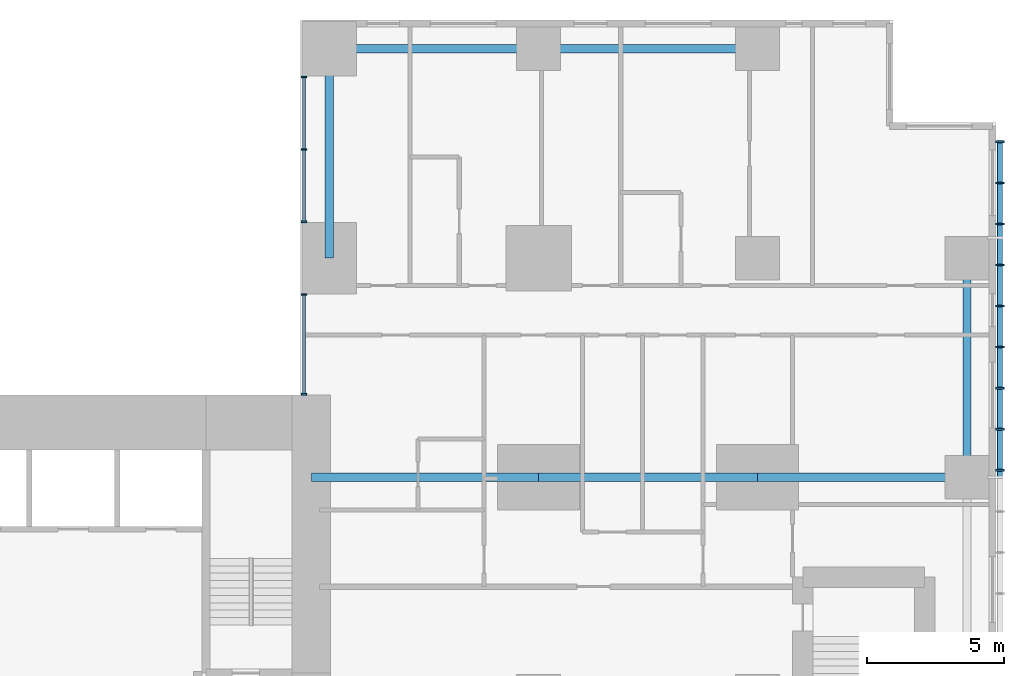
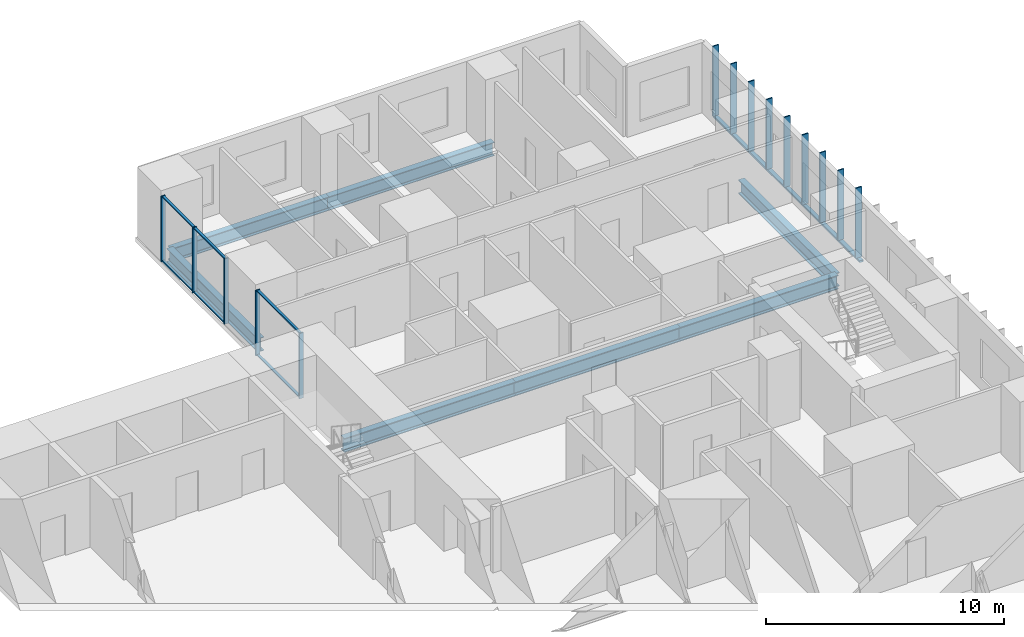
# One storey, part 3 of 12: 21 members, 7 beams, 2 elements without a shape of their own.
"""IFC4 building model written with IfcOpenShell, lengths in metres."""

from ifc_helpers import new_model, si_unit, direction, frame, origin, origin_2d, place, context, subcontext, project, spatial, rectangle, hollow_rectangle, i_section, extrude, material, layer, layer_set, material_profile, profile_set, type_object, element, aggregate, save


model = new_model("IFC4")

# Units and contexts
model_context = context("Model", 3, precision=1e-05, world=origin(), true_north=direction((0.0, 1.0)))
body_context = subcontext(model_context, "Body", "Model", "MODEL_VIEW")
ifc_project = project(units=[si_unit("LENGTHUNIT", "METRE"), si_unit("AREAUNIT", "SQUARE_METRE"), si_unit("VOLUMEUNIT", "CUBIC_METRE"), si_unit("PLANEANGLEUNIT", "RADIAN"), si_unit("MASSUNIT", "GRAM", prefix="KILO")], contexts=[model_context])

# Site, building, storey
site_placement = place(None, origin())
site = spatial("IfcSite", under=ifc_project, at=site_placement, CompositionType="ELEMENT")
building_placement = place(site_placement, origin())
building = spatial("IfcBuilding", under=site, at=building_placement, Name="Cleftline Residences", CompositionType="ELEMENT")
storey_placement = place(building_placement, frame((0.0, 0.0, 248.39990234375)))
storey = spatial("IfcBuildingStorey", under=building, at=storey_placement, Name="L65", CompositionType="ELEMENT", Elevation=248.39990234375)

# Member
ifc_material_1 = material(Name="Steel S355, hot-dip galvanised", Category="steel")
ifc_material_profile_1 = material_profile(ifc_material_1, hollow_rectangle(XDim=0.10009765625, YDim=0.199951171875, WallThickness=0.008056640625, InnerFilletRadius=0.008056640625, OuterFilletRadius=0.011962890625, at=origin_2d()))
ifc_profile_set_1 = profile_set([ifc_material_profile_1], Name="Steel S355, hot-dip galvanised")
member_type_1 = type_object("IfcMemberType", Name="BAGUETTE CARRIER RHS 200X100X8", PredefinedType="USERDEFINED", material=ifc_profile_set_1)
member_1_placement = place(storey_placement, frame((66.85009765625, 32.0, -0.0498046875), z_axis=(0.0, 1.0, 0.0), x_axis=(0.0, 0.0, 1.0)))
element("IfcMember", 1, at=member_1_placement, inside=storey, type_object=member_type_1, Name="Baguette carrier", ObjectType="BAGUETTE CARRIER", PredefinedType="USERDEFINED", context=body_context, shape_type="SweptSolid", body=[
    extrude(hollow_rectangle(XDim=0.10009765625, YDim=0.199951171875, WallThickness=0.008056640625, InnerFilletRadius=0.008056640625, OuterFilletRadius=0.011962890625, at=origin_2d()), origin(), (0.0, 0.0, 1.0), 12.300048828125),
])

# Beams
ifc_material_2 = material(Name="Steel S355", Category="steel")
ifc_material_profile_2 = material_profile(ifc_material_2, i_section(OverallWidth=0.300048828125, OverallDepth=0.699951171875, WebThickness=0.01708984375, FlangeThickness=0.031982421875, FilletRadius=0.027099609375, at=origin_2d()))
ifc_profile_set_2 = profile_set([ifc_material_profile_2], Name="Steel S355")
beam_type_1 = type_object("IfcBeamType", Name="BEAM HEB 700", PredefinedType="BEAM", material=ifc_profile_set_2)
for number, where, z_axis, x_axis, name in (
    (2, (65.64990234375, 32.0, -0.599853515625), (0.0, 1.0, 0.0), (-1.0, 0.0, 0.0), "Edge beam"),
    (3, (58.0, 47.64990234375, -0.599853515625), (-1.0, 0.0, 0.0), (0.0, -1.0, 0.0), "Edge beam"),
):
    element("IfcBeam", number, at=place(storey_placement, frame(where, z_axis=z_axis, x_axis=x_axis)), inside=storey, type_object=beam_type_1, Name=name, PredefinedType="BEAM", context=body_context, shape_type="SweptSolid", body=[
        extrude(i_section(OverallWidth=0.300048828125, OverallDepth=0.699951171875, WebThickness=0.01708984375, FlangeThickness=0.031982421875, FilletRadius=0.027099609375, at=origin_2d()), origin(), (0.0, 0.0, 1.0), 8.0),
    ])
for number, where, z_axis, x_axis, name in (
    (4, (50.0, 47.64990234375, -0.599853515625), (-1.0, 0.0, 0.0), (0.0, -1.0, 0.0), "Edge beam"),
    (5, (42.35009765625, 47.64990234375, -0.599853515625), (0.0, -1.0, 0.0), (1.0, 0.0, 0.0), "Edge beam"),
):
    element("IfcBeam", number, at=place(storey_placement, frame(where, z_axis=z_axis, x_axis=x_axis)), inside=storey, type_object=beam_type_1, Name=name, PredefinedType="BEAM", context=body_context, shape_type="SweptSolid", body=[
        extrude(i_section(OverallWidth=0.300048828125, OverallDepth=0.699951171875, WebThickness=0.01708984375, FlangeThickness=0.031982421875, FilletRadius=0.027099609375, at=origin_2d()), origin(), (0.0, 0.0, 1.0), 7.64990234375),
    ])
ifc_material_3 = material(Name="Steel S355", Category="steel")
ifc_material_profile_3 = material_profile(ifc_material_3, i_section(OverallWidth=0.303955078125, OverallDepth=0.716064453125, WebThickness=0.02099609375, FlangeThickness=0.0400390625, FilletRadius=0.027099609375, at=origin_2d()))
ifc_profile_set_3 = profile_set([ifc_material_profile_3], Name="Steel S355")
beam_type_2 = type_object("IfcBeamType", Name="BEAM HEM 700", PredefinedType="BEAM", material=ifc_profile_set_3)
beam_1_placement = place(storey_placement, frame((65.64990234375, 32.0, -0.60791015625), z_axis=(-1.0, 0.0, 0.0), x_axis=(0.0, -1.0, 0.0)))
element("IfcBeam", 6, at=beam_1_placement, inside=storey, type_object=beam_type_2, Name="Band beam", PredefinedType="BEAM", context=body_context, shape_type="SweptSolid", body=[
    extrude(i_section(OverallWidth=0.303955078125, OverallDepth=0.716064453125, WebThickness=0.02099609375, FlangeThickness=0.0400390625, FilletRadius=0.027099609375, at=origin_2d()), origin(), (0.0, 0.0, 1.0), 7.64990234375),
])
beam_2_placement = place(storey_placement, frame((58.0, 32.0, -0.60791015625), z_axis=(-1.0, 0.0, 0.0), x_axis=(0.0, -1.0, 0.0)))
element("IfcBeam", 7, at=beam_2_placement, inside=storey, type_object=beam_type_2, Name="Band beam", PredefinedType="BEAM", context=body_context, shape_type="SweptSolid", body=[
    extrude(i_section(OverallWidth=0.303955078125, OverallDepth=0.716064453125, WebThickness=0.02099609375, FlangeThickness=0.0400390625, FilletRadius=0.027099609375, at=origin_2d()), origin(), (0.0, 0.0, 1.0), 8.0),
])
beam_3_placement = place(storey_placement, frame((50.0, 32.0, -0.60791015625), z_axis=(-1.0, 0.0, 0.0), x_axis=(0.0, -1.0, 0.0)))
element("IfcBeam", 8, at=beam_3_placement, inside=storey, type_object=beam_type_2, Name="Band beam", PredefinedType="BEAM", context=body_context, shape_type="SweptSolid", body=[
    extrude(i_section(OverallWidth=0.303955078125, OverallDepth=0.716064453125, WebThickness=0.02099609375, FlangeThickness=0.0400390625, FilletRadius=0.027099609375, at=origin_2d()), origin(), (0.0, 0.0, 1.0), 8.300048828125),
])

# Curtain wall, members
ifc_material_4 = material(Name="Aluminium framed curtain wall", Category="aluminium")
ifc_layer = layer(ifc_material_4, 0.199951171875)
ifc_layer_set = layer_set([ifc_layer], Name="CW1 CLEFT GLAZING")
curtain_wall_type = type_object("IfcCurtainWallType", Name="CW1 CLEFT GLAZING", PredefinedType="NOTDEFINED", material=ifc_layer_set)
curtain_wall_1_placement = place(storey_placement, origin())
curtain_wall_1 = element("IfcCurtainWall", 9, at=curtain_wall_1_placement, inside=storey, type_object=curtain_wall_type, Name="Curtain wall CW1", PredefinedType="NOTDEFINED")
ifc_material_5 = material(Name="Aluminium mullion", Category="aluminium")
ifc_material_profile_4 = material_profile(ifc_material_5, rectangle(XDim=0.199951171875, YDim=0.06005859375, at=origin_2d()))
ifc_profile_set_4 = profile_set([ifc_material_profile_4], Name="Aluminium mullion")
member_type_2 = type_object("IfcMemberType", Name="CW1 MULLION", PredefinedType="MULLION", material=ifc_profile_set_4)
member_2_placement = place(storey_placement, frame((41.425048828125, 46.6201171875, 0.0), z_axis=(0.0, 0.0, 1.0), x_axis=(1.0, 0.0, 0.0)))
member_2 = element("IfcMember", 10, at=member_2_placement, type_object=member_type_2, Name="CW1 mullion 1", PredefinedType="MULLION", context=body_context, shape_type="SweptSolid", body=[
    extrude(rectangle(XDim=0.199951171875, YDim=0.06005859375, at=origin_2d()), origin(), (0.0, 0.0, 1.0), 3.35009765625),
])
member_3_placement = place(storey_placement, frame((41.425048828125, 43.97509765625, 0.0), z_axis=(0.0, 0.0, 1.0), x_axis=(1.0, 0.0, 0.0)))
member_3 = element("IfcMember", 11, at=member_3_placement, type_object=member_type_2, Name="CW1 mullion 2", PredefinedType="MULLION", context=body_context, shape_type="SweptSolid", body=[
    extrude(rectangle(XDim=0.199951171875, YDim=0.06005859375, at=origin_2d()), origin(), (0.0, 0.0, 1.0), 3.35009765625),
])
member_4_placement = place(storey_placement, frame((41.425048828125, 41.330078125, 0.0), z_axis=(0.0, 0.0, 1.0), x_axis=(1.0, 0.0, 0.0)))
member_4 = element("IfcMember", 12, at=member_4_placement, type_object=member_type_2, Name="CW1 mullion 3", PredefinedType="MULLION", context=body_context, shape_type="SweptSolid", body=[
    extrude(rectangle(XDim=0.199951171875, YDim=0.06005859375, at=origin_2d()), origin(), (0.0, 0.0, 1.0), 3.35009765625),
])

curtain_wall_2_placement = place(storey_placement, origin())
curtain_wall_2 = element("IfcCurtainWall", 13, at=curtain_wall_2_placement, inside=storey, type_object=curtain_wall_type, Name="Curtain wall CW1", PredefinedType="NOTDEFINED")
member_5_placement = place(storey_placement, frame((41.425048828125, 38.669921875, 0.0), z_axis=(0.0, 0.0, 1.0), x_axis=(1.0, 0.0, 0.0)))
member_5 = element("IfcMember", 14, at=member_5_placement, type_object=member_type_2, Name="CW1 mullion 1", PredefinedType="MULLION", context=body_context, shape_type="SweptSolid", body=[
    extrude(rectangle(XDim=0.199951171875, YDim=0.06005859375, at=origin_2d()), origin(), (0.0, 0.0, 1.0), 3.35009765625),
])
member_6_placement = place(storey_placement, frame((41.425048828125, 35.030029296875, 0.0), z_axis=(0.0, 0.0, 1.0), x_axis=(1.0, 0.0, 0.0)))
member_6 = element("IfcMember", 15, at=member_6_placement, type_object=member_type_2, Name="CW1 mullion 2", PredefinedType="MULLION", context=body_context, shape_type="SweptSolid", body=[
    extrude(rectangle(XDim=0.199951171875, YDim=0.06005859375, at=origin_2d()), origin(), (0.0, 0.0, 1.0), 3.35009765625),
])

# Member
ifc_material_6 = material(Name="Aluminium transom", Category="aluminium")
ifc_material_profile_5 = material_profile(ifc_material_6, rectangle(XDim=0.1201171875, YDim=0.06005859375, at=origin_2d()))
ifc_profile_set_5 = profile_set([ifc_material_profile_5], Name="Aluminium transom")
member_type_3 = type_object("IfcMemberType", Name="CW1 TRANSOM", PredefinedType="USERDEFINED", material=ifc_profile_set_5)
member_7_placement = place(storey_placement, frame((41.425048828125, 46.590087890625, 0.030029296875), z_axis=(0.0, -1.0, 0.0), x_axis=(1.0, 0.0, 0.0)))
member_7 = element("IfcMember", 16, at=member_7_placement, type_object=member_type_3, Name="CW1 transom 1.1", ObjectType="TRANSOM", PredefinedType="USERDEFINED", context=body_context, shape_type="SweptSolid", body=[
    extrude(rectangle(XDim=0.1201171875, YDim=0.06005859375, at=origin_2d()), origin(), (0.0, 0.0, 1.0), 2.585205078125),
])

member_8_placement = place(storey_placement, frame((41.425048828125, 46.590087890625, 3.320068359375), z_axis=(0.0, -1.0, 0.0), x_axis=(1.0, 0.0, 0.0)))
member_8 = element("IfcMember", 17, at=member_8_placement, type_object=member_type_3, Name="CW1 transom 1.2", ObjectType="TRANSOM", PredefinedType="USERDEFINED", context=body_context, shape_type="SweptSolid", body=[
    extrude(rectangle(XDim=0.1201171875, YDim=0.06005859375, at=origin_2d()), origin(), (0.0, 0.0, 1.0), 2.585205078125),
])

member_9_placement = place(storey_placement, frame((41.425048828125, 43.945068359375, 0.030029296875), z_axis=(0.0, -1.0, 0.0), x_axis=(1.0, 0.0, 0.0)))
member_9 = element("IfcMember", 18, at=member_9_placement, type_object=member_type_3, Name="CW1 transom 2.1", ObjectType="TRANSOM", PredefinedType="USERDEFINED", context=body_context, shape_type="SweptSolid", body=[
    extrude(rectangle(XDim=0.1201171875, YDim=0.06005859375, at=origin_2d()), origin(), (0.0, 0.0, 1.0), 2.5849609375),
])

member_10_placement = place(storey_placement, frame((41.425048828125, 43.945068359375, 3.320068359375), z_axis=(0.0, -1.0, 0.0), x_axis=(1.0, 0.0, 0.0)))
member_10 = element("IfcMember", 19, at=member_10_placement, type_object=member_type_3, Name="CW1 transom 2.2", ObjectType="TRANSOM", PredefinedType="USERDEFINED", context=body_context, shape_type="SweptSolid", body=[
    extrude(rectangle(XDim=0.1201171875, YDim=0.06005859375, at=origin_2d()), origin(), (0.0, 0.0, 1.0), 2.5849609375),
])

aggregate(curtain_wall_1, [member_2, member_3, member_4, member_7, member_8, member_9, member_10])

member_11_placement = place(storey_placement, frame((41.425048828125, 38.639892578125, 0.030029296875), z_axis=(0.0, -1.0, 0.0), x_axis=(1.0, 0.0, 0.0)))
member_11 = element("IfcMember", 20, at=member_11_placement, type_object=member_type_3, Name="CW1 transom 1.1", ObjectType="TRANSOM", PredefinedType="USERDEFINED", context=body_context, shape_type="SweptSolid", body=[
    extrude(rectangle(XDim=0.1201171875, YDim=0.06005859375, at=origin_2d()), origin(), (0.0, 0.0, 1.0), 3.579833984375),
])

member_12_placement = place(storey_placement, frame((41.425048828125, 38.639892578125, 3.320068359375), z_axis=(0.0, -1.0, 0.0), x_axis=(1.0, 0.0, 0.0)))
member_12 = element("IfcMember", 21, at=member_12_placement, type_object=member_type_3, Name="CW1 transom 1.2", ObjectType="TRANSOM", PredefinedType="USERDEFINED", context=body_context, shape_type="SweptSolid", body=[
    extrude(rectangle(XDim=0.1201171875, YDim=0.06005859375, at=origin_2d()), origin(), (0.0, 0.0, 1.0), 3.579833984375),
])

aggregate(curtain_wall_2, [member_5, member_6, member_11, member_12])

# Members
ifc_material_7 = material(Name="Extruded terracotta", Category="masonry")
ifc_material_profile_6 = material_profile(ifc_material_7, rectangle(XDim=0.06005859375, YDim=0.300048828125, at=origin_2d()))
ifc_profile_set_6 = profile_set([ifc_material_profile_6], Name="Extruded terracotta")
member_type_4 = type_object("IfcMemberType", Name="TERRACOTTA BAGUETTE 60X300", PredefinedType="USERDEFINED", material=ifc_profile_set_6)
for number, where, z_axis, x_axis, name in (
    (22, (66.85009765625, 32.25, 0.0), (0.0, 0.0, 1.0), (0.0, 1.0, 0.0), "Terracotta baguette"),
    (23, (66.85009765625, 33.75, 0.0), (0.0, 0.0, 1.0), (0.0, 1.0, 0.0), "Terracotta baguette"),
    (24, (66.85009765625, 35.25, 0.0), (0.0, 0.0, 1.0), (0.0, 1.0, 0.0), "Terracotta baguette"),
    (25, (66.85009765625, 36.75, 0.0), (0.0, 0.0, 1.0), (0.0, 1.0, 0.0), "Terracotta baguette"),
    (26, (66.85009765625, 38.25, 0.0), (0.0, 0.0, 1.0), (0.0, 1.0, 0.0), "Terracotta baguette"),
    (27, (66.85009765625, 39.75, 0.0), (0.0, 0.0, 1.0), (0.0, 1.0, 0.0), "Terracotta baguette"),
    (28, (66.85009765625, 41.25, 0.0), (0.0, 0.0, 1.0), (0.0, 1.0, 0.0), "Terracotta baguette"),
    (29, (66.85009765625, 42.75, 0.0), (0.0, 0.0, 1.0), (0.0, 1.0, 0.0), "Terracotta baguette"),
    (30, (66.85009765625, 44.25, 0.0), (0.0, 0.0, 1.0), (0.0, 1.0, 0.0), "Terracotta baguette"),
):
    element("IfcMember", number, at=place(storey_placement, frame(where, z_axis=z_axis, x_axis=x_axis)), inside=storey, type_object=member_type_4, Name=name, ObjectType="BAGUETTE", PredefinedType="USERDEFINED", context=body_context, shape_type="SweptSolid", body=[
        extrude(rectangle(XDim=0.06005859375, YDim=0.300048828125, at=origin_2d()), origin(), (0.0, 0.0, 1.0), 3.60009765625),
    ])

save(model, "model.ifc")
